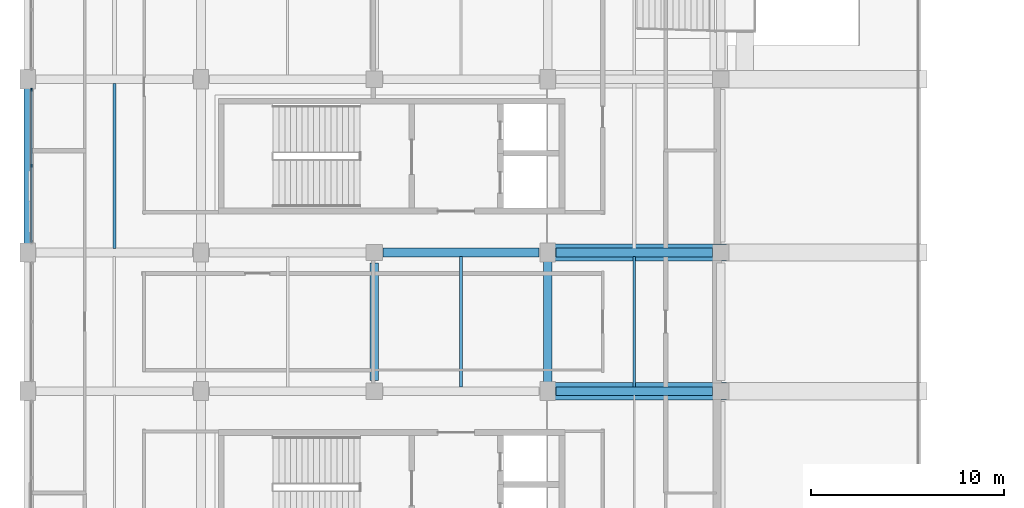
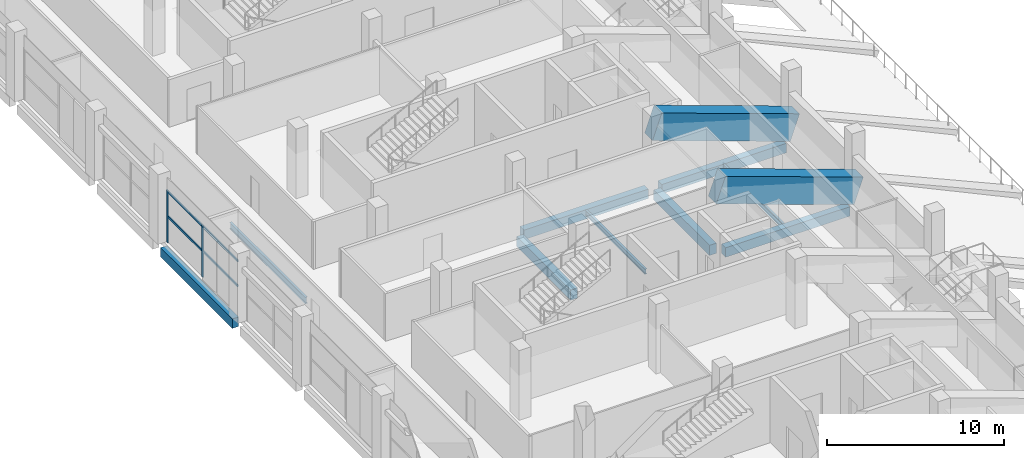
# One storey, part 26 of 66: 11 beams, 4 members, 1 element without a shape of its own.
"""IFC4 building model written with IfcOpenShell, lengths in metres."""

from ifc_helpers import new_model, si_unit, direction, frame, origin, origin_2d, place, context, subcontext, project, spatial, rectangle, i_section, extrude, material, material_profile, profile_set, type_object, element, aggregate, save


model = new_model("IFC4")

# Units and contexts
model_context = context("Model", 3, precision=1e-05, world=origin(), true_north=direction((0.0, 1.0)))
body_context = subcontext(model_context, "Body", "Model", "MODEL_VIEW")
ifc_project = project(units=[si_unit("LENGTHUNIT", "METRE"), si_unit("AREAUNIT", "SQUARE_METRE"), si_unit("VOLUMEUNIT", "CUBIC_METRE"), si_unit("PLANEANGLEUNIT", "RADIAN"), si_unit("MASSUNIT", "GRAM", prefix="KILO"), si_unit("THERMODYNAMICTEMPERATUREUNIT", "KELVIN"), si_unit("POWERUNIT", "WATT")], contexts=[model_context])

# Site, building, storey
site_placement = place(None, origin())
site = spatial("IfcSite", under=ifc_project, at=site_placement, CompositionType="ELEMENT")
building_placement = place(site_placement, origin())
building = spatial("IfcBuilding", under=site, at=building_placement, Name="Sindhuravela Promenade Stadium", CompositionType="ELEMENT")
storey_placement = place(building_placement, frame((0.0, 0.0, 19.199951171875)))
storey = spatial("IfcBuildingStorey", under=building, at=storey_placement, Name="L04", CompositionType="ELEMENT", Elevation=19.199951171875)

# Curtain wall, members
ifc_material_1 = material(Name="Anodised architectural aluminium 6063-T6", Category="aluminium")
curtain_wall_type = type_object("IfcCurtainWallType", Name="CW-MOD-7", PredefinedType="NOTDEFINED", material=ifc_material_1)
curtain_wall_placement = place(storey_placement, origin())
curtain_wall = element("IfcCurtainWall", 1, at=curtain_wall_placement, inside=storey, type_object=curtain_wall_type, Name="Bronze curtain wall CW-WEST-L04-054", PredefinedType="NOTDEFINED")
ifc_material_profile_1 = material_profile(ifc_material_1, rectangle(XDim=0.074951171875, YDim=0.175048828125, at=origin_2d()), Name="ALU MULL 75x175")
ifc_profile_set_1 = profile_set([ifc_material_profile_1], Name="Anodised architectural aluminium 6063-T6")
member_type_1 = type_object("IfcMemberType", Name="CW-MUL-1", PredefinedType="MULLION", material=ifc_profile_set_1)
member_1_placement = place(storey_placement, frame((0.199951171875, 89.10009765625, 0.0), z_axis=(0.0, 0.0, 1.0), x_axis=(1.0, 0.0, 0.0)))
member_1 = element("IfcMember", 2, at=member_1_placement, type_object=member_type_1, Name="Curtain wall mullion CW-WEST-L04-054-M2", PredefinedType="MULLION", context=body_context, shape_type="SweptSolid", body=[
    extrude(rectangle(XDim=0.074951171875, YDim=0.175048828125, at=origin_2d()), origin(), (0.0, 0.0, 1.0), 3.580078125),
])
member_2_placement = place(storey_placement, frame((0.199951171875, 93.050048828125, 0.0), z_axis=(0.0, 0.0, 1.0), x_axis=(1.0, 0.0, 0.0)))
member_2 = element("IfcMember", 3, at=member_2_placement, type_object=member_type_1, Name="Curtain wall mullion CW-WEST-L04-054-M3", PredefinedType="MULLION", context=body_context, shape_type="SweptSolid", body=[
    extrude(rectangle(XDim=0.074951171875, YDim=0.175048828125, at=origin_2d()), origin(), (0.0, 0.0, 1.0), 3.580078125),
])
ifc_material_profile_2 = material_profile(ifc_material_1, rectangle(XDim=0.074951171875, YDim=0.14990234375, at=origin_2d()), Name="ALU TRAN 75x150")
ifc_profile_set_2 = profile_set([ifc_material_profile_2], Name="Anodised architectural aluminium 6063-T6")
member_type_2 = type_object("IfcMemberType", Name="CW-TRN-1", PredefinedType="USERDEFINED", material=ifc_profile_set_2)
member_3_placement = place(storey_placement, frame((0.199951171875, 85.125, 1.7900390625), z_axis=(0.0, 1.0, 0.0), x_axis=(-1.0, 0.0, 0.0)))
member_3 = element("IfcMember", 4, at=member_3_placement, type_object=member_type_2, Name="Curtain wall transom CW-WEST-L04-054-T1", ObjectType="TRANSOM", PredefinedType="USERDEFINED", context=body_context, shape_type="SweptSolid", body=[
    extrude(rectangle(XDim=0.074951171875, YDim=0.14990234375, at=origin_2d()), origin(), (0.0, 0.0, 1.0), 7.949951171875),
])
member_4_placement = place(storey_placement, frame((0.199951171875, 85.125, 3.5), z_axis=(0.0, 1.0, 0.0), x_axis=(-1.0, 0.0, 0.0)))
member_4 = element("IfcMember", 5, at=member_4_placement, type_object=member_type_2, Name="Curtain wall transom CW-WEST-L04-054-T2", ObjectType="TRANSOM", PredefinedType="USERDEFINED", context=body_context, shape_type="SweptSolid", body=[
    extrude(rectangle(XDim=0.074951171875, YDim=0.14990234375, at=origin_2d()), origin(), (0.0, 0.0, 1.0), 7.949951171875),
])
aggregate(curtain_wall, [member_1, member_2, member_3, member_4])

# Beams
ifc_material_2 = material(Name="Concrete M40", Category="concrete")
ifc_material_profile_3 = material_profile(ifc_material_2, rectangle(XDim=0.39990234375, YDim=0.64990234375, at=origin_2d()), Name="RC 400x650")
ifc_profile_set_3 = profile_set([ifc_material_profile_3], Name="Concrete M40")
beam_type_1 = type_object("IfcBeamType", Name="RC-BM-400x650", PredefinedType="SPANDREL", material=ifc_profile_set_3)
beam_1_placement = place(storey_placement, frame((0.0, 85.0400390625, -0.64501953125), z_axis=(0.0, 1.0, 0.0), x_axis=(-1.0, 0.0, 0.0)))
element("IfcBeam", 6, at=beam_1_placement, inside=storey, type_object=beam_type_1, Name="Primary beam SP01 WEST L04", PredefinedType="SPANDREL", context=body_context, shape_type="SweptSolid", body=[
    extrude(rectangle(XDim=0.39990234375, YDim=0.64990234375, at=origin_2d()), origin(), (0.0, 0.0, 1.0), 8.119873046875),
])
ifc_material_profile_4 = material_profile(ifc_material_2, rectangle(XDim=0.449951171875, YDim=0.64990234375, at=origin_2d()), Name="RC 450x650")
ifc_profile_set_4 = profile_set([ifc_material_profile_4], Name="Concrete M40")
beam_type_2 = type_object("IfcBeamType", Name="RC-BM-450x650", PredefinedType="T_BEAM", material=ifc_profile_set_4)
for number, where, z_axis, x_axis, name in (
    (7, (27.43994140625, 77.39990234375, -0.64501953125), (1.0, 0.0, 0.0), (0.0, 1.0, 0.0), "Primary girder GB08 WEST L04"),
    (8, (18.43994140625, 84.60009765625, -0.64501953125), (1.0, 0.0, 0.0), (0.0, 1.0, 0.0), "Primary girder GB08 WEST L04"),
    (9, (27.43994140625, 84.60009765625, -0.64501953125), (1.0, 0.0, 0.0), (0.0, 1.0, 0.0), "Primary girder GB08 WEST L04"),
):
    element("IfcBeam", number, at=place(storey_placement, frame(where, z_axis=z_axis, x_axis=x_axis)), inside=storey, type_object=beam_type_2, Name=name, PredefinedType="T_BEAM", context=body_context, shape_type="SweptSolid", body=[
        extrude(rectangle(XDim=0.449951171875, YDim=0.64990234375, at=origin_2d()), origin(), (0.0, 0.0, 1.0), 8.1201171875),
    ])
ifc_material_profile_5 = material_profile(ifc_material_2, rectangle(XDim=0.449951171875, YDim=0.699951171875, at=origin_2d()), Name="RC 450x700")
ifc_profile_set_5 = profile_set([ifc_material_profile_5], Name="Concrete M40")
beam_type_3 = type_object("IfcBeamType", Name="RC-BM-450x700", PredefinedType="BEAM", material=ifc_profile_set_5)
beam_2_placement = place(storey_placement, frame((18.0, 77.93994140625, -0.669921875), z_axis=(0.0, 1.0, 0.0), x_axis=(-1.0, 0.0, 0.0)))
element("IfcBeam", 10, at=beam_2_placement, inside=storey, type_object=beam_type_3, Name="Primary beam GB07 WEST L04", PredefinedType="BEAM", context=body_context, shape_type="SweptSolid", body=[
    extrude(rectangle(XDim=0.449951171875, YDim=0.699951171875, at=origin_2d()), origin(), (0.0, 0.0, 1.0), 6.1201171875),
])
beam_3_placement = place(storey_placement, frame((27.0, 77.840087890625, -0.669921875), z_axis=(0.0, 1.0, 0.0), x_axis=(-1.0, 0.0, 0.0)))
element("IfcBeam", 11, at=beam_3_placement, inside=storey, type_object=beam_type_3, Name="Primary beam GB07 WEST L04", PredefinedType="BEAM", context=body_context, shape_type="SweptSolid", body=[
    extrude(rectangle(XDim=0.449951171875, YDim=0.699951171875, at=origin_2d()), origin(), (0.0, 0.0, 1.0), 6.31982421875),
])
ifc_material_3 = material(Name="Concrete M50", Category="concrete")
ifc_material_profile_6 = material_profile(ifc_material_3, rectangle(XDim=0.89990234375, YDim=1.800048828125, at=origin_2d()), Name="RC 900x1800")
ifc_profile_set_6 = profile_set([ifc_material_profile_6], Name="Concrete M50")
beam_type_4 = type_object("IfcBeamType", Name="RC-RK-900x1800", PredefinedType="USERDEFINED", material=ifc_profile_set_6)
for number, where, z_axis, x_axis, name in (
    (12, (27.0, 77.39990234375, 3.949951171875), (0.9422163038291221, 0.0, -0.3350051295108589), (0.0, 1.0, 0.0), "Upper raker back-span RK01 West 59"),
    (13, (27.0, 84.60009765625, 3.949951171875), (0.9422163038291221, 0.0, -0.3350051295108589), (0.0, 1.0, 0.0), "Upper raker back-span RK01 West 61"),
):
    element("IfcBeam", number, at=place(storey_placement, frame(where, z_axis=z_axis, x_axis=x_axis)), inside=storey, type_object=beam_type_4, Name=name, ObjectType="RAKER", PredefinedType="USERDEFINED", context=body_context, shape_type="SweptSolid", body=[
        extrude(rectangle(XDim=0.89990234375, YDim=1.800048828125, at=origin_2d()), origin(), (0.0, 0.0, 1.0), 9.552001953125),
    ])
ifc_material_4 = material(Name="Steel E350 (IS 2062 E350BR)", Category="steel")
ifc_material_profile_7 = material_profile(ifc_material_4, i_section(OverallWidth=0.139892578125, OverallDepth=0.35009765625, WebThickness=0.008056640625, FlangeThickness=0.01416015625, FilletRadius=0.013916015625, at=origin_2d()), Name="ISMB 350")
ifc_profile_set_7 = profile_set([ifc_material_profile_7], Name="Steel E350 (IS 2062 E350BR)")
beam_type_5 = type_object("IfcBeamType", Name="ST-BM-MB350", PredefinedType="JOIST", material=ifc_profile_set_7)
beam_4_placement = place(storey_placement, frame((22.5, 77.614990234375, -0.494873046875), z_axis=(0.0, 1.0, 0.0), x_axis=(-1.0, 0.0, 0.0)))
element("IfcBeam", 14, at=beam_4_placement, inside=storey, type_object=beam_type_5, Name="Secondary floor joist SB04 WEST L04", PredefinedType="JOIST", context=body_context, shape_type="SweptSolid", body=[
    extrude(i_section(OverallWidth=0.139892578125, OverallDepth=0.35009765625, WebThickness=0.008056640625, FlangeThickness=0.01416015625, FilletRadius=0.013916015625, at=origin_2d()), origin(), (0.0, 0.0, 1.0), 6.77001953125),
])
ifc_material_profile_8 = material_profile(ifc_material_4, i_section(OverallWidth=0.139892578125, OverallDepth=0.39990234375, WebThickness=0.0087890625, FlangeThickness=0.01611328125, FilletRadius=0.013916015625, at=origin_2d()), Name="ISMB 400")
ifc_profile_set_8 = profile_set([ifc_material_profile_8], Name="Steel E350 (IS 2062 E350BR)")
beam_type_6 = type_object("IfcBeamType", Name="ST-BM-MB400", PredefinedType="BEAM", material=ifc_profile_set_8)
beam_5_placement = place(storey_placement, frame((31.5, 77.614990234375, -0.52001953125), z_axis=(0.0, 1.0, 0.0), x_axis=(-1.0, 0.0, 0.0)))
element("IfcBeam", 15, at=beam_5_placement, inside=storey, type_object=beam_type_6, Name="Secondary floor joist SB05 WEST L04", PredefinedType="BEAM", context=body_context, shape_type="SweptSolid", body=[
    extrude(i_section(OverallWidth=0.139892578125, OverallDepth=0.39990234375, WebThickness=0.0087890625, FlangeThickness=0.01611328125, FilletRadius=0.013916015625, at=origin_2d()), origin(), (0.0, 0.0, 1.0), 6.77001953125),
])
ifc_material_profile_9 = material_profile(ifc_material_4, i_section(OverallWidth=0.14990234375, OverallDepth=0.449951171875, WebThickness=0.009521484375, FlangeThickness=0.017333984375, FilletRadius=0.014892578125, at=origin_2d()), Name="ISMB 450")
ifc_profile_set_9 = profile_set([ifc_material_profile_9], Name="Steel E350 (IS 2062 E350BR)")
beam_type_7 = type_object("IfcBeamType", Name="ST-BM-MB450", PredefinedType="BEAM", material=ifc_profile_set_9)
beam_6_placement = place(storey_placement, frame((4.5, 84.81494140625, -0.544921875), z_axis=(0.0, 1.0, 0.0), x_axis=(-1.0, 0.0, 0.0)))
element("IfcBeam", 16, at=beam_6_placement, inside=storey, type_object=beam_type_7, Name="Secondary floor joist SB06 WEST L04", PredefinedType="BEAM", context=body_context, shape_type="SweptSolid", body=[
    extrude(i_section(OverallWidth=0.14990234375, OverallDepth=0.449951171875, WebThickness=0.009521484375, FlangeThickness=0.017333984375, FilletRadius=0.014892578125, at=origin_2d()), origin(), (0.0, 0.0, 1.0), 8.570068359375),
])

save(model, "model.ifc")
